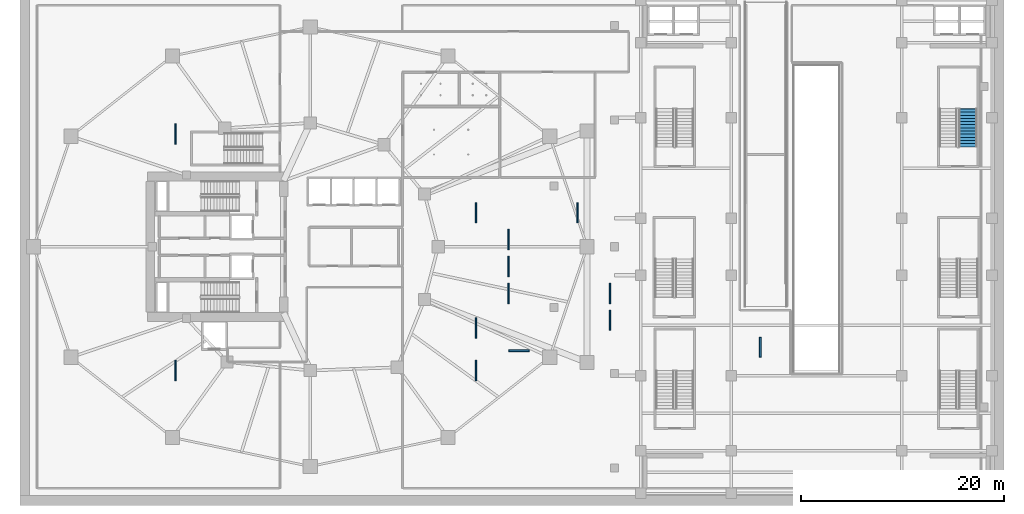
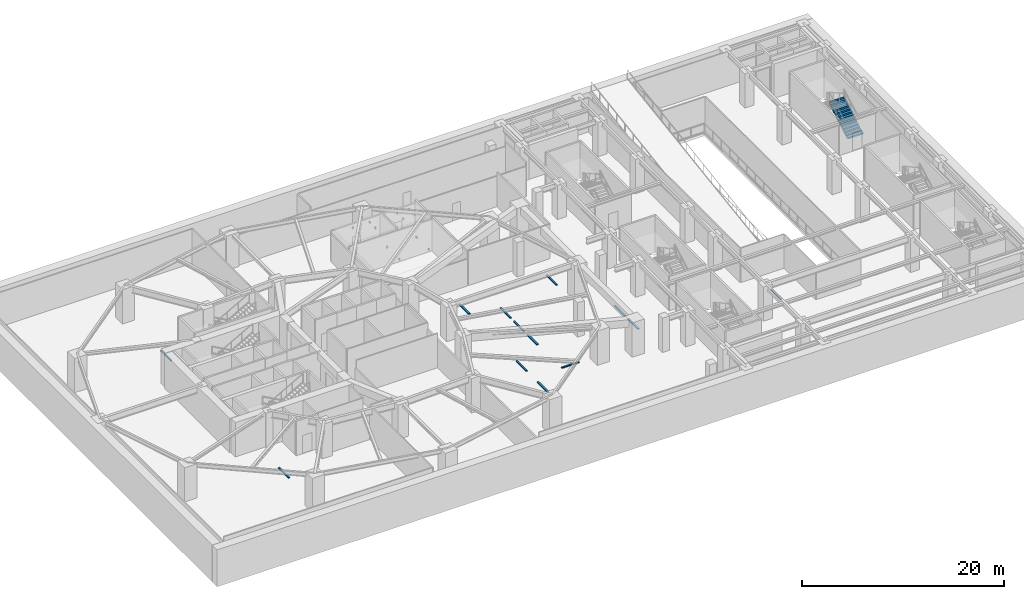
# One storey, part 11 of 16: 13 discrete accessories, 1 stair flight, 1 element without a shape of its own.
"""IFC4 building model written with IfcOpenShell, lengths in metres."""

from ifc_helpers import new_model, si_unit, direction, frame, origin, origin_2d, place, context, subcontext, project, spatial, polyline, rectangle, outline, extrude, material, type_object, element, aggregate, save


model = new_model("IFC4")

# Units and contexts
model_context = context("Model", 3, precision=1e-05, world=origin(), true_north=direction((0.0, 1.0)))
body_context = subcontext(model_context, "Body", "Model", "MODEL_VIEW")
ifc_project = project(units=[si_unit("LENGTHUNIT", "METRE"), si_unit("AREAUNIT", "SQUARE_METRE"), si_unit("VOLUMEUNIT", "CUBIC_METRE"), si_unit("PLANEANGLEUNIT", "RADIAN"), si_unit("MASSUNIT", "GRAM", prefix="KILO")], contexts=[model_context])

# Site, building, storey
site_placement = place(None, origin())
site = spatial("IfcSite", under=ifc_project, at=site_placement, CompositionType="ELEMENT")
building_placement = place(site_placement, origin())
building = spatial("IfcBuilding", under=site, at=building_placement, Name="Kolvaren Gate Tower and Convention Centre", CompositionType="ELEMENT")
storey_placement = place(building_placement, frame((0.0, 0.0, -4.5)))
storey = spatial("IfcBuildingStorey", under=building, at=storey_placement, Name="B1", CompositionType="ELEMENT", Elevation=-4.5)

# Stair, stair flight
ifc_material_1 = material(Name="Concrete C50/60", Category="concrete")
stair_type = type_object("IfcStairType", Name="STR-STAIR-CONV", PredefinedType="HALF_TURN_STAIR", material=ifc_material_1)
stair_placement = place(storey_placement, origin())
stair = element("IfcStair", 1, at=stair_placement, inside=storey, type_object=stair_type, Name="B1 Convention NE Exit Stair ST-C3", PredefinedType="HALF_TURN_STAIR")
stair_flight_type = type_object("IfcStairFlightType", Name="STR-SFL-1750", PredefinedType="STRAIGHT", material=ifc_material_1)
stair_flight_placement = place(storey_placement, frame((94.925048828125, 36.85009765625, 0.0), z_axis=(0.0, 0.0, 1.0), x_axis=(0.0, 1.0, 0.0)))
stair_flight = element("IfcStairFlight", 2, at=stair_flight_placement, type_object=stair_flight_type, Name="ST-C3 flight 1", NumberOfRisers=13, NumberOfTreads=12, PredefinedType="STRAIGHT", RiserHeight=0.173076923, TreadLength=0.31, context=body_context, shape_type="SweptSolid", body=[
    extrude(outline(polyline([(-0.034912109375, 0.0), (-0.034912109375, 0.173095703125), (0.31005859375, 0.173095703125), (0.31005859375, 0.34619140625), (0.6201171875, 0.34619140625), (0.6201171875, 0.519287109375), (0.929931640625, 0.519287109375), (0.929931640625, 0.6923828125), (1.239990234375, 0.6923828125), (1.239990234375, 0.865478515625), (1.550048828125, 0.865478515625), (1.550048828125, 1.03857421875), (1.860107421875, 1.03857421875), (1.860107421875, 1.21142578125), (2.169921875, 1.21142578125), (2.169921875, 1.384521484375), (2.47998046875, 1.384521484375), (2.47998046875, 1.5576171875), (2.7900390625, 1.5576171875), (2.7900390625, 1.730712890625), (3.10009765625, 1.730712890625), (3.10009765625, 1.90380859375), (3.409912109375, 1.90380859375), (3.409912109375, 2.076904296875), (3.719970703125, 2.076904296875), (3.719970703125, 2.25), (3.764892578125, 2.25), (3.764892578125, 2.090087890625), (3.719970703125, 1.9052734375), (0.3076171875, 0.0), (-0.034912109375, 0.0)])), frame((0.0, 0.875, 0.0), z_axis=(0.0, -1.0, 0.0), x_axis=(1.0, 0.0, 0.0)), (0.0, 0.0, 1.0), 1.75),
])
aggregate(stair, [stair_flight])

# Discrete accessories
ifc_material_2 = material(Name="Concrete C40/50", Category="concrete")
discrete_accessory_type = type_object("IfcDiscreteAccessoryType", Name="ARCH-ACC-PARKING-BAY", PredefinedType="USERDEFINED", material=ifc_material_2)
for number, where, z_axis, x_axis, name in (
    (3, (16.85009765625, 14.800048828125, 0.0), (0.0, 0.0, 1.0), (0.0, 1.0, 0.0), "Accessible Parking Bay Wheel Stop BAY-B1-001"),
    (4, (46.449951171875, 14.800048828125, 0.0), (0.0, 0.0, 1.0), (0.0, 1.0, 0.0), "Accessible Parking Bay Wheel Stop BAY-B1-002"),
    (5, (46.449951171875, 19.0, 0.0), (0.0, 0.0, 1.0), (0.0, 1.0, 0.0), "Accessible Parking Bay Wheel Stop BAY-B1-003"),
    (6, (16.85009765625, 38.10009765625, 0.0), (0.0, 0.0, 1.0), (0.0, 1.0, 0.0), "Parking Bay Wheel Stop BAY-B1-004"),
    (7, (46.449951171875, 30.35009765625, 0.0), (0.0, 0.0, 1.0), (0.0, 1.0, 0.0), "Parking Bay Wheel Stop BAY-B1-005"),
    (8, (49.64990234375, 22.39990234375, 0.0), (0.0, 0.0, 1.0), (0.0, 1.0, 0.0), "Parking Bay Wheel Stop BAY-B1-006"),
    (9, (49.64990234375, 25.050048828125, 0.0), (0.0, 0.0, 1.0), (0.0, 1.0, 0.0), "Parking Bay Wheel Stop BAY-B1-007"),
    (10, (49.64990234375, 27.699951171875, 0.0), (0.0, 0.0, 1.0), (0.0, 1.0, 0.0), "Parking Bay Wheel Stop BAY-B1-008"),
    (11, (56.449951171875, 30.35009765625, 0.0), (0.0, 0.0, 1.0), (0.0, 1.0, 0.0), "Parking Bay Wheel Stop BAY-B1-009"),
    (12, (59.64990234375, 19.75, 0.0), (0.0, 0.0, 1.0), (0.0, 1.0, 0.0), "Parking Bay Wheel Stop BAY-B1-010"),
    (13, (59.64990234375, 22.39990234375, 0.0), (0.0, 0.0, 1.0), (0.0, 1.0, 0.0), "Parking Bay Wheel Stop BAY-B1-011"),
    (14, (74.449951171875, 17.10009765625, 0.0), (0.0, 0.0, 1.0), (0.0, 1.0, 0.0), "Parking Bay Wheel Stop BAY-B1-012"),
    (15, (50.699951171875, 16.75, 0.0), (0.0, 0.0, 1.0), (1.0, 0.0, 0.0), "Parking Bay Wheel Stop BAY-B1-013"),
):
    element("IfcDiscreteAccessory", number, at=place(storey_placement, frame(where, z_axis=z_axis, x_axis=x_axis)), inside=storey, type_object=discrete_accessory_type, Name=name, ObjectType="WHEEL_STOP", PredefinedType="USERDEFINED", context=body_context, shape_type="SweptSolid", body=[
        extrude(rectangle(XDim=2.0, YDim=0.179931640625, at=origin_2d()), origin(), (0.0, 0.0, 1.0), 0.1201171875),
    ])

save(model, "model.ifc")
